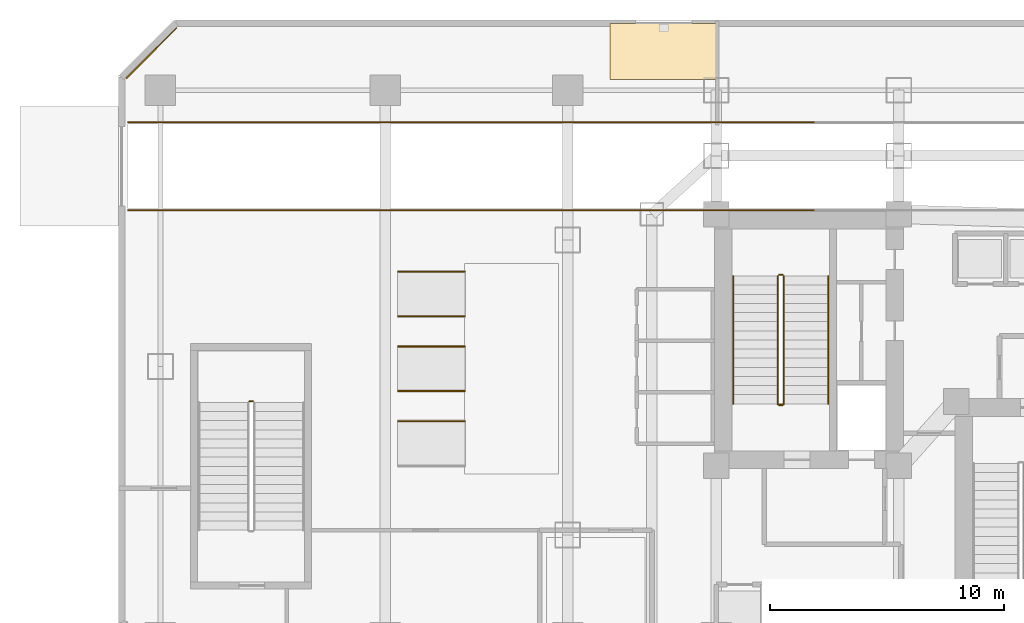
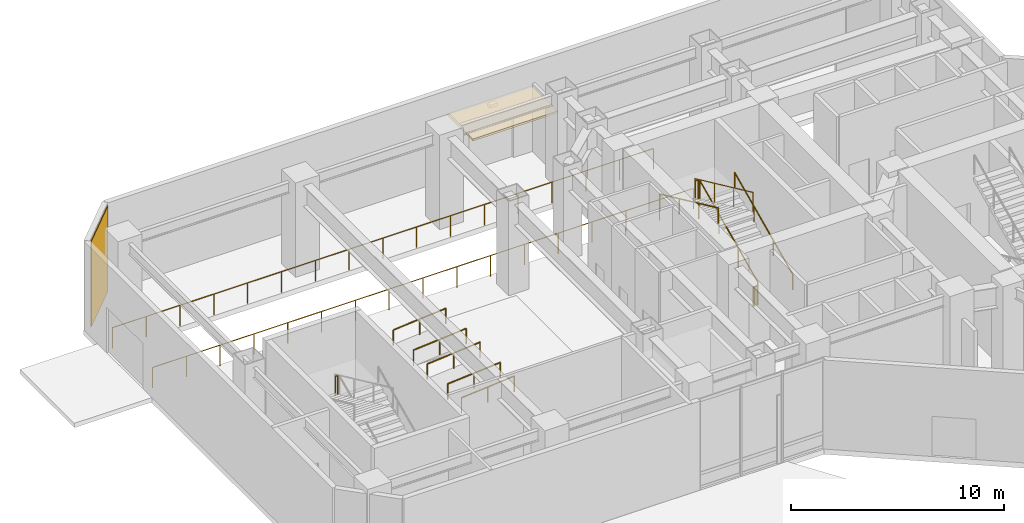
# One storey, part 11 of 13: 45 railings, 2 coverings.
"""IFC4 building model written with IfcOpenShell, lengths in metres."""

from ifc_helpers import new_model, si_unit, direction, frame, origin, origin_2d, place, context, subcontext, project, spatial, rectangle, circle, extrude, material, layer, layer_set, type_object, element, save


model = new_model("IFC4")

# Units and contexts
model_context = context("Model", 3, precision=1e-05, world=origin(), true_north=direction((0.0, 1.0)))
body_context = subcontext(model_context, "Body", "Model", "MODEL_VIEW")
ifc_project = project(units=[si_unit("LENGTHUNIT", "METRE"), si_unit("AREAUNIT", "SQUARE_METRE"), si_unit("VOLUMEUNIT", "CUBIC_METRE"), si_unit("PLANEANGLEUNIT", "RADIAN"), si_unit("MASSUNIT", "GRAM", prefix="KILO")], contexts=[model_context])

# Site, building, storey
site_placement = place(None, origin())
site = spatial("IfcSite", under=ifc_project, at=site_placement, CompositionType="ELEMENT")
building_placement = place(site_placement, origin())
building = spatial("IfcBuilding", under=site, at=building_placement, Name="Hatsunagi Terrace Concourse", CompositionType="ELEMENT")
storey_placement = place(building_placement, origin())
storey = spatial("IfcBuildingStorey", under=building, at=storey_placement, Name="L01", CompositionType="ELEMENT", Elevation=0.0)

# Covering
ifc_material_1 = material(Name="Warm Anodised Aluminium Soffit Cladding", Category="aluminium")
ifc_layer_1 = layer(ifc_material_1, 0.1201171875)
ifc_layer_set_1 = layer_set([ifc_layer_1], Name="EntranceCanopySoffit_120")
covering_type_1 = type_object("IfcCoveringType", Name="EntranceCanopySoffit_120", PredefinedType="CLADDING", material=ifc_layer_set_1)
covering_1_placement = place(storey_placement, frame((23.302001953125, 50.260009765625, 3.5400390625), z_axis=(0.0, 0.0, 1.0), x_axis=(1.0, 0.0, 0.0)))
element("IfcCovering", 1, at=covering_1_placement, inside=storey, type_object=covering_type_1, Name="Entrance Portal Canopy Soffit 11", PredefinedType="CLADDING", context=body_context, shape_type="SweptSolid", body=[
    extrude(rectangle(XDim=4.60009765625, YDim=2.39990234375, at=origin_2d()), origin(), (0.0, 0.0, 1.0), 0.1201171875),
])

# Railings
ifc_material_2 = material(Name="Brushed Stainless Steel Handrail", Category="steel")
ifc_layer_2 = layer(ifc_material_2, 0.050048828125)
ifc_layer_set_2 = layer_set([ifc_layer_2], Name="RampAccessibleHandrail_900")
railing_type_1 = type_object("IfcRailingType", Name="RampAccessibleHandrail_900", PredefinedType="HANDRAIL", material=ifc_layer_set_2)
for number, where, name in (
    (2, (11.949951171875, 34.449951171875, 0.0), "Concourse Accessible Ramp Handrail HR-02 #2"),
    (3, (11.949951171875, 35.75, 0.0), "Concourse Accessible Ramp Handrail HR-02 #3"),
    (4, (11.949951171875, 37.64990234375, 0.0), "Concourse Accessible Ramp Handrail HR-02 #4"),
    (5, (11.949951171875, 38.949951171875, 0.0), "Concourse Accessible Ramp Handrail HR-02 #5"),
    (6, (11.949951171875, 40.85009765625, 0.0), "Concourse Accessible Ramp Handrail HR-02 #6"),
):
    element("IfcRailing", number, at=place(storey_placement, frame(where)), inside=storey, type_object=railing_type_1, Name=name, PredefinedType="HANDRAIL", context=body_context, shape_type="SweptSolid", body=[
        extrude(circle(Radius=0.02392578125, at=origin_2d()), frame((0.0, 0.0, 0.8759765625), z_axis=(0.996473566823, 0.0, 0.083907273958), x_axis=(0.0, 1.0, 0.0)), (0.0, 0.0, 1.0), 2.860107421875),
        extrude(circle(Radius=0.02099609375, at=origin_2d()), origin(), (0.0, 0.0, 1.0), 0.851806640625),
        extrude(circle(Radius=0.02099609375, at=origin_2d()), frame((1.425048828125, 0.0, 0.1201171875)), (0.0, 0.0, 1.0), 0.851806640625),
        extrude(circle(Radius=0.02099609375, at=origin_2d()), frame((2.85009765625, 0.0, 0.239990234375)), (0.0, 0.0, 1.0), 0.851806640625),
    ])
ifc_material_3 = material(Name="Stainless steel", Category="steel")
ifc_layer_3 = layer(ifc_material_3, 0.044921875)
ifc_layer_set_3 = layer_set([ifc_layer_3], Name="StairPitchHandrail_Tower2000")
railing_type_2 = type_object("IfcRailingType", Name="StairPitchHandrail_Tower2000", PredefinedType="HANDRAIL", material=ifc_layer_set_3)
railing_1_placement = place(storey_placement, frame((30.330078125, 35.199951171875, 0.179931640625)))
element("IfcRailing", 7, at=railing_1_placement, inside=storey, type_object=railing_type_2, Name="L01 ST-A stair handrail 1", PredefinedType="HANDRAIL", context=body_context, shape_type="SweptSolid", body=[
    extrude(circle(Radius=0.02392578125, at=origin_2d()), frame((0.0, 0.0, 0.8759765625), z_axis=(0.0, 0.907957007956, 0.419063326602), x_axis=(-1.0, 0.0, 0.0)), (0.0, 0.0, 1.0), 6.013427734375),
    extrude(circle(Radius=0.02099609375, at=origin_2d()), origin(), (0.0, 0.0, 1.0), 0.851806640625),
    extrude(circle(Radius=0.02099609375, at=origin_2d()), frame((0.0, 1.820068359375, 0.840087890625)), (0.0, 0.0, 1.0), 0.851806640625),
    extrude(circle(Radius=0.02099609375, at=origin_2d()), frame((0.0, 3.639892578125, 1.679931640625)), (0.0, 0.0, 1.0), 0.851806640625),
    extrude(circle(Radius=0.02099609375, at=origin_2d()), frame((0.0, 5.4599609375, 2.52001953125)), (0.0, 0.0, 1.0), 0.851806640625),
])
railing_2_placement = place(storey_placement, frame((26.280029296875, 40.659912109375, 2.8798828125)))
element("IfcRailing", 8, at=railing_2_placement, inside=storey, type_object=railing_type_2, Name="L01 ST-A stair handrail 2", PredefinedType="HANDRAIL", context=body_context, shape_type="SweptSolid", body=[
    extrude(circle(Radius=0.02392578125, at=origin_2d()), frame((0.0, 0.0, 0.8759765625), z_axis=(0.0, -0.907957007956, 0.419063326602), x_axis=(1.0, 0.0, 0.0)), (0.0, 0.0, 1.0), 6.013427734375),
    extrude(circle(Radius=0.02099609375, at=origin_2d()), origin(), (0.0, 0.0, 1.0), 0.851806640625),
    extrude(circle(Radius=0.02099609375, at=origin_2d()), frame((0.0, -1.820068359375, 0.840087890625)), (0.0, 0.0, 1.0), 0.851806640625),
    extrude(circle(Radius=0.02099609375, at=origin_2d()), frame((0.0, -3.639892578125, 1.679931640625)), (0.0, 0.0, 1.0), 0.851806640625),
    extrude(circle(Radius=0.02099609375, at=origin_2d()), frame((0.0, -5.4599609375, 2.52001953125)), (0.0, 0.0, 1.0), 0.851806640625),
])
ifc_material_4 = material(Name="Stainless steel", Category="steel")
ifc_layer_4 = layer(ifc_material_4, 0.06494140625)
ifc_layer_set_4 = layer_set([ifc_layer_4], Name="StairWellGuard_Podium2200")
railing_type_3 = type_object("IfcRailingType", Name="StairWellGuard_Podium2200", PredefinedType="BALUSTRADE", material=ifc_layer_set_4)
railing_3_placement = place(storey_placement, frame((5.75, 35.31005859375, 2.699951171875)))
element("IfcRailing", 9, at=railing_3_placement, inside=storey, type_object=railing_type_3, Name="L01 ST-P1 stair guard 2", PredefinedType="BALUSTRADE", context=body_context, shape_type="SweptSolid", body=[
    extrude(circle(Radius=0.02392578125, at=origin_2d()), frame((0.0, 0.0, 1.09619140625), z_axis=(-1.0, 0.0, 0.0), x_axis=(0.0, -1.0, 0.0)), (0.0, 0.0, 1.0), 0.14990234375),
    extrude(circle(Radius=0.02099609375, at=origin_2d()), origin(), (0.0, 0.0, 1.0), 1.072021484375),
    extrude(circle(Radius=0.02099609375, at=origin_2d()), frame((-0.14990234375, 0.0, 0.0)), (0.0, 0.0, 1.0), 1.072021484375),
])
ifc_material_5 = material(Name="Stainless steel", Category="steel")
ifc_layer_5 = layer(ifc_material_5, 0.06005859375)
ifc_layer_set_5 = layer_set([ifc_layer_5], Name="StairWellGuard_Tower2000")
railing_type_4 = type_object("IfcRailingType", Name="StairWellGuard_Tower2000", PredefinedType="BALUSTRADE", material=ifc_layer_set_5)
railing_4_placement = place(storey_placement, frame((28.429931640625, 35.199951171875, 0.179931640625)))
element("IfcRailing", 10, at=railing_4_placement, inside=storey, type_object=railing_type_4, Name="L01 ST-A stair guard 1", PredefinedType="BALUSTRADE", context=body_context, shape_type="SweptSolid", body=[
    extrude(circle(Radius=0.02392578125, at=origin_2d()), frame((0.0, 0.0, 1.09619140625), z_axis=(0.0, 0.907957007956, 0.419063326602), x_axis=(-1.0, 0.0, 0.0)), (0.0, 0.0, 1.0), 6.013427734375),
    extrude(circle(Radius=0.02099609375, at=origin_2d()), origin(), (0.0, 0.0, 1.0), 1.072021484375),
    extrude(circle(Radius=0.02099609375, at=origin_2d()), frame((0.0, 1.820068359375, 0.840087890625)), (0.0, 0.0, 1.0), 1.072021484375),
    extrude(circle(Radius=0.02099609375, at=origin_2d()), frame((0.0, 3.639892578125, 1.679931640625)), (0.0, 0.0, 1.0), 1.072021484375),
    extrude(circle(Radius=0.02099609375, at=origin_2d()), frame((0.0, 5.4599609375, 2.52001953125)), (0.0, 0.0, 1.0), 1.072021484375),
])
railing_5_placement = place(storey_placement, frame((28.3798828125, 40.7099609375, 2.699951171875)))
element("IfcRailing", 11, at=railing_5_placement, inside=storey, type_object=railing_type_4, Name="L01 ST-A stair guard 2", PredefinedType="BALUSTRADE", context=body_context, shape_type="SweptSolid", body=[
    extrude(circle(Radius=0.02392578125, at=origin_2d()), frame((0.0, 0.0, 1.09619140625), z_axis=(-1.0, 0.0, 0.0), x_axis=(0.0, -1.0, 0.0)), (0.0, 0.0, 1.0), 0.14990234375),
    extrude(circle(Radius=0.02099609375, at=origin_2d()), origin(), (0.0, 0.0, 1.0), 1.072021484375),
    extrude(circle(Radius=0.02099609375, at=origin_2d()), frame((-0.14990234375, 0.0, 0.0)), (0.0, 0.0, 1.0), 1.072021484375),
])
railing_6_placement = place(storey_placement, frame((28.179931640625, 40.659912109375, 2.8798828125)))
element("IfcRailing", 12, at=railing_6_placement, inside=storey, type_object=railing_type_4, Name="L01 ST-A stair guard 3", PredefinedType="BALUSTRADE", context=body_context, shape_type="SweptSolid", body=[
    extrude(circle(Radius=0.02392578125, at=origin_2d()), frame((0.0, 0.0, 1.09619140625), z_axis=(0.0, -0.907957007956, 0.419063326602), x_axis=(1.0, 0.0, 0.0)), (0.0, 0.0, 1.0), 6.013427734375),
    extrude(circle(Radius=0.02099609375, at=origin_2d()), origin(), (0.0, 0.0, 1.0), 1.072021484375),
    extrude(circle(Radius=0.02099609375, at=origin_2d()), frame((0.0, -1.820068359375, 0.840087890625)), (0.0, 0.0, 1.0), 1.072021484375),
    extrude(circle(Radius=0.02099609375, at=origin_2d()), frame((0.0, -3.639892578125, 1.679931640625)), (0.0, 0.0, 1.0), 1.072021484375),
    extrude(circle(Radius=0.02099609375, at=origin_2d()), frame((0.0, -5.4599609375, 2.52001953125)), (0.0, 0.0, 1.0), 1.072021484375),
])
railing_7_placement = place(storey_placement, frame((28.3798828125, 35.14990234375, 0.0)))
element("IfcRailing", 13, at=railing_7_placement, inside=storey, type_object=railing_type_4, Name="L01 ST-A stair guard 4", PredefinedType="BALUSTRADE", context=body_context, shape_type="SweptSolid", body=[
    extrude(circle(Radius=0.02392578125, at=origin_2d()), frame((0.0, 0.0, 1.09619140625), z_axis=(-1.0, 0.0, 0.0), x_axis=(0.0, -1.0, 0.0)), (0.0, 0.0, 1.0), 0.14990234375),
    extrude(circle(Radius=0.02099609375, at=origin_2d()), origin(), (0.0, 0.0, 1.0), 1.072021484375),
    extrude(circle(Radius=0.02099609375, at=origin_2d()), frame((-0.14990234375, 0.0, 0.0)), (0.0, 0.0, 1.0), 1.072021484375),
])
ifc_material_6 = material(Name="Stainless Steel SUS316 Post-and-Rail Guard", Category="steel")
ifc_layer_6 = layer(ifc_material_6, 0.080078125)
ifc_layer_set_6 = layer_set([ifc_layer_6], Name="TerracePlantedGuardRail_1200")
railing_type_5 = type_object("IfcRailingType", Name="TerracePlantedGuardRail_1200", PredefinedType="GUARDRAIL", material=ifc_layer_set_6)
railing_8_placement = place(storey_placement, frame((28.179931640625, 35.179931640625, 0.0)))
element("IfcRailing", 14, at=railing_8_placement, inside=storey, type_object=railing_type_5, Name="Stair ST-A Well Closure Guard L01", PredefinedType="GUARDRAIL", context=body_context, shape_type="SweptSolid", body=[
    extrude(circle(Radius=0.02392578125, at=origin_2d()), frame((0.0, 0.0, 1.09619140625), z_axis=(1.0, 0.0, 0.0), x_axis=(0.0, 1.0, 0.0)), (0.0, 0.0, 1.0), 0.25),
    extrude(circle(Radius=0.02099609375, at=origin_2d()), origin(), (0.0, 0.0, 1.0), 1.072021484375),
    extrude(circle(Radius=0.02099609375, at=origin_2d()), frame((0.25, 0.0, 0.0)), (0.0, 0.0, 1.0), 1.072021484375),
])
railing_9_placement = place(storey_placement, frame((0.419921875, 43.469970703125, 0.0)))
element("IfcRailing", 15, at=railing_9_placement, inside=storey, type_object=railing_type_5, Name="L01 Car Park Ramp Well Guardrail GRD-02 #1", PredefinedType="GUARDRAIL", context=body_context, shape_type="SweptSolid", body=[
    extrude(circle(Radius=0.02392578125, at=origin_2d()), frame((0.0, 0.0, 1.17578125), z_axis=(1.0, 0.0, 0.0), x_axis=(0.0, 1.0, 0.0)), (0.0, 0.0, 1.0), 1.8271484375),
    extrude(circle(Radius=0.02099609375, at=origin_2d()), origin(), (0.0, 0.0, 1.0), 1.15185546875),
    extrude(circle(Radius=0.02099609375, at=origin_2d()), frame((1.8271484375, 0.0, 0.0)), (0.0, 0.0, 1.0), 1.15185546875),
])
railing_10_placement = place(storey_placement, frame((2.2548828125, 43.469970703125, 0.0)))
element("IfcRailing", 16, at=railing_10_placement, inside=storey, type_object=railing_type_5, Name="L01 Car Park Ramp Well Guardrail GRD-02 #2", PredefinedType="GUARDRAIL", context=body_context, shape_type="SweptSolid", body=[
    extrude(circle(Radius=0.02392578125, at=origin_2d()), frame((0.0, 0.0, 1.17578125), z_axis=(1.0, 0.0, 0.0), x_axis=(0.0, 1.0, 0.0)), (0.0, 0.0, 1.0), 1.82421875),
    extrude(circle(Radius=0.02099609375, at=origin_2d()), origin(), (0.0, 0.0, 1.0), 1.15185546875),
    extrude(circle(Radius=0.02099609375, at=origin_2d()), frame((1.82421875, 0.0, 0.0)), (0.0, 0.0, 1.0), 1.15185546875),
])
railing_11_placement = place(storey_placement, frame((4.0869140625, 43.469970703125, 0.0)))
element("IfcRailing", 17, at=railing_11_placement, inside=storey, type_object=railing_type_5, Name="L01 Car Park Ramp Well Guardrail GRD-02 #3", PredefinedType="GUARDRAIL", context=body_context, shape_type="SweptSolid", body=[
    extrude(circle(Radius=0.02392578125, at=origin_2d()), frame((0.0, 0.0, 1.17578125), z_axis=(1.0, 0.0, 0.0), x_axis=(0.0, 1.0, 0.0)), (0.0, 0.0, 1.0), 1.822998046875),
    extrude(circle(Radius=0.02099609375, at=origin_2d()), origin(), (0.0, 0.0, 1.0), 1.15185546875),
    extrude(circle(Radius=0.02099609375, at=origin_2d()), frame((1.822998046875, 0.0, 0.0)), (0.0, 0.0, 1.0), 1.15185546875),
])
railing_12_placement = place(storey_placement, frame((5.91796875, 43.469970703125, 0.0)))
element("IfcRailing", 18, at=railing_12_placement, inside=storey, type_object=railing_type_5, Name="L01 Car Park Ramp Well Guardrail GRD-02 #4", PredefinedType="GUARDRAIL", context=body_context, shape_type="SweptSolid", body=[
    extrude(circle(Radius=0.02392578125, at=origin_2d()), frame((0.0, 0.0, 1.17578125), z_axis=(1.0, 0.0, 0.0), x_axis=(0.0, 1.0, 0.0)), (0.0, 0.0, 1.0), 1.823974609375),
    extrude(circle(Radius=0.02099609375, at=origin_2d()), origin(), (0.0, 0.0, 1.0), 1.15185546875),
    extrude(circle(Radius=0.02099609375, at=origin_2d()), frame((1.823974609375, 0.0, 0.0)), (0.0, 0.0, 1.0), 1.15185546875),
])
railing_13_placement = place(storey_placement, frame((7.75, 43.469970703125, 0.0)))
element("IfcRailing", 19, at=railing_13_placement, inside=storey, type_object=railing_type_5, Name="L01 Car Park Ramp Well Guardrail GRD-02 #5", PredefinedType="GUARDRAIL", context=body_context, shape_type="SweptSolid", body=[
    extrude(circle(Radius=0.02392578125, at=origin_2d()), frame((0.0, 0.0, 1.17578125), z_axis=(1.0, 0.0, 0.0), x_axis=(0.0, 1.0, 0.0)), (0.0, 0.0, 1.0), 1.822998046875),
    extrude(circle(Radius=0.02099609375, at=origin_2d()), origin(), (0.0, 0.0, 1.0), 1.15185546875),
    extrude(circle(Radius=0.02099609375, at=origin_2d()), frame((1.822998046875, 0.0, 0.0)), (0.0, 0.0, 1.0), 1.15185546875),
])
railing_14_placement = place(storey_placement, frame((9.5810546875, 43.469970703125, 0.0)))
element("IfcRailing", 20, at=railing_14_placement, inside=storey, type_object=railing_type_5, Name="L01 Car Park Ramp Well Guardrail GRD-02 #6", PredefinedType="GUARDRAIL", context=body_context, shape_type="SweptSolid", body=[
    extrude(circle(Radius=0.02392578125, at=origin_2d()), frame((0.0, 0.0, 1.17578125), z_axis=(1.0, 0.0, 0.0), x_axis=(0.0, 1.0, 0.0)), (0.0, 0.0, 1.0), 1.823974609375),
    extrude(circle(Radius=0.02099609375, at=origin_2d()), origin(), (0.0, 0.0, 1.0), 1.15185546875),
    extrude(circle(Radius=0.02099609375, at=origin_2d()), frame((1.823974609375, 0.0, 0.0)), (0.0, 0.0, 1.0), 1.15185546875),
])
for number, where, name in (
    (21, (11.4130859375, 43.469970703125, 0.0), "L01 Car Park Ramp Well Guardrail GRD-02 #7"),
    (22, (13.243896484375, 43.469970703125, 0.0), "L01 Car Park Ramp Well Guardrail GRD-02 #8"),
):
    element("IfcRailing", number, at=place(storey_placement, frame(where)), inside=storey, type_object=railing_type_5, Name=name, PredefinedType="GUARDRAIL", context=body_context, shape_type="SweptSolid", body=[
        extrude(circle(Radius=0.02392578125, at=origin_2d()), frame((0.0, 0.0, 1.17578125), z_axis=(1.0, 0.0, 0.0), x_axis=(0.0, 1.0, 0.0)), (0.0, 0.0, 1.0), 1.822998046875),
        extrude(circle(Radius=0.02099609375, at=origin_2d()), origin(), (0.0, 0.0, 1.0), 1.15185546875),
        extrude(circle(Radius=0.02099609375, at=origin_2d()), frame((1.822998046875, 0.0, 0.0)), (0.0, 0.0, 1.0), 1.15185546875),
    ])
railing_15_placement = place(storey_placement, frame((15.074951171875, 43.469970703125, 0.0)))
element("IfcRailing", 23, at=railing_15_placement, inside=storey, type_object=railing_type_5, Name="L01 Car Park Ramp Well Guardrail GRD-02 #9", PredefinedType="GUARDRAIL", context=body_context, shape_type="SweptSolid", body=[
    extrude(circle(Radius=0.02392578125, at=origin_2d()), frame((0.0, 0.0, 1.17578125), z_axis=(1.0, 0.0, 0.0), x_axis=(0.0, 1.0, 0.0)), (0.0, 0.0, 1.0), 1.823974609375),
    extrude(circle(Radius=0.02099609375, at=origin_2d()), origin(), (0.0, 0.0, 1.0), 1.15185546875),
    extrude(circle(Radius=0.02099609375, at=origin_2d()), frame((1.823974609375, 0.0, 0.0)), (0.0, 0.0, 1.0), 1.15185546875),
])
railing_16_placement = place(storey_placement, frame((16.906982421875, 43.469970703125, 0.0)))
element("IfcRailing", 24, at=railing_16_placement, inside=storey, type_object=railing_type_5, Name="L01 Car Park Ramp Well Guardrail GRD-02 #10", PredefinedType="GUARDRAIL", context=body_context, shape_type="SweptSolid", body=[
    extrude(circle(Radius=0.02392578125, at=origin_2d()), frame((0.0, 0.0, 1.17578125), z_axis=(1.0, 0.0, 0.0), x_axis=(0.0, 1.0, 0.0)), (0.0, 0.0, 1.0), 1.822998046875),
    extrude(circle(Radius=0.02099609375, at=origin_2d()), origin(), (0.0, 0.0, 1.0), 1.15185546875),
    extrude(circle(Radius=0.02099609375, at=origin_2d()), frame((1.822998046875, 0.0, 0.0)), (0.0, 0.0, 1.0), 1.15185546875),
])
railing_17_placement = place(storey_placement, frame((18.738037109375, 43.469970703125, 0.0)))
element("IfcRailing", 25, at=railing_17_placement, inside=storey, type_object=railing_type_5, Name="L01 Car Park Ramp Well Guardrail GRD-02 #11", PredefinedType="GUARDRAIL", context=body_context, shape_type="SweptSolid", body=[
    extrude(circle(Radius=0.02392578125, at=origin_2d()), frame((0.0, 0.0, 1.17578125), z_axis=(1.0, 0.0, 0.0), x_axis=(0.0, 1.0, 0.0)), (0.0, 0.0, 1.0), 1.823974609375),
    extrude(circle(Radius=0.02099609375, at=origin_2d()), origin(), (0.0, 0.0, 1.0), 1.15185546875),
    extrude(circle(Radius=0.02099609375, at=origin_2d()), frame((1.823974609375, 0.0, 0.0)), (0.0, 0.0, 1.0), 1.15185546875),
])
railing_18_placement = place(storey_placement, frame((20.570068359375, 43.469970703125, 0.0)))
element("IfcRailing", 26, at=railing_18_placement, inside=storey, type_object=railing_type_5, Name="L01 Car Park Ramp Well Guardrail GRD-02 #12", PredefinedType="GUARDRAIL", context=body_context, shape_type="SweptSolid", body=[
    extrude(circle(Radius=0.02392578125, at=origin_2d()), frame((0.0, 0.0, 1.17578125), z_axis=(1.0, 0.0, 0.0), x_axis=(0.0, 1.0, 0.0)), (0.0, 0.0, 1.0), 1.822998046875),
    extrude(circle(Radius=0.02099609375, at=origin_2d()), origin(), (0.0, 0.0, 1.0), 1.15185546875),
    extrude(circle(Radius=0.02099609375, at=origin_2d()), frame((1.822998046875, 0.0, 0.0)), (0.0, 0.0, 1.0), 1.15185546875),
])
railing_19_placement = place(storey_placement, frame((22.40087890625, 43.469970703125, 0.0)))
element("IfcRailing", 27, at=railing_19_placement, inside=storey, type_object=railing_type_5, Name="L01 Car Park Ramp Well Guardrail GRD-02 #13", PredefinedType="GUARDRAIL", context=body_context, shape_type="SweptSolid", body=[
    extrude(circle(Radius=0.02392578125, at=origin_2d()), frame((0.0, 0.0, 1.17578125), z_axis=(1.0, 0.0, 0.0), x_axis=(0.0, 1.0, 0.0)), (0.0, 0.0, 1.0), 1.82421875),
    extrude(circle(Radius=0.02099609375, at=origin_2d()), origin(), (0.0, 0.0, 1.0), 1.15185546875),
    extrude(circle(Radius=0.02099609375, at=origin_2d()), frame((1.82421875, 0.0, 0.0)), (0.0, 0.0, 1.0), 1.15185546875),
])
for number, where, name in (
    (28, (24.23291015625, 43.469970703125, 0.0), "L01 Car Park Ramp Well Guardrail GRD-02 #14"),
    (29, (26.06396484375, 43.469970703125, 0.0), "L01 Car Park Ramp Well Guardrail GRD-02 #15"),
):
    element("IfcRailing", number, at=place(storey_placement, frame(where)), inside=storey, type_object=railing_type_5, Name=name, PredefinedType="GUARDRAIL", context=body_context, shape_type="SweptSolid", body=[
        extrude(circle(Radius=0.02392578125, at=origin_2d()), frame((0.0, 0.0, 1.17578125), z_axis=(1.0, 0.0, 0.0), x_axis=(0.0, 1.0, 0.0)), (0.0, 0.0, 1.0), 1.822998046875),
        extrude(circle(Radius=0.02099609375, at=origin_2d()), origin(), (0.0, 0.0, 1.0), 1.15185546875),
        extrude(circle(Radius=0.02099609375, at=origin_2d()), frame((1.822998046875, 0.0, 0.0)), (0.0, 0.0, 1.0), 1.15185546875),
    ])
railing_20_placement = place(storey_placement, frame((27.89501953125, 43.469970703125, 0.0)))
element("IfcRailing", 30, at=railing_20_placement, inside=storey, type_object=railing_type_5, Name="L01 Car Park Ramp Well Guardrail GRD-02 #16", PredefinedType="GUARDRAIL", context=body_context, shape_type="SweptSolid", body=[
    extrude(circle(Radius=0.02392578125, at=origin_2d()), frame((0.0, 0.0, 1.17578125), z_axis=(1.0, 0.0, 0.0), x_axis=(0.0, 1.0, 0.0)), (0.0, 0.0, 1.0), 1.823974609375),
    extrude(circle(Radius=0.02099609375, at=origin_2d()), origin(), (0.0, 0.0, 1.0), 1.15185546875),
    extrude(circle(Radius=0.02099609375, at=origin_2d()), frame((1.823974609375, 0.0, 0.0)), (0.0, 0.0, 1.0), 1.15185546875),
])
railing_21_placement = place(storey_placement, frame((29.718994140625, 47.22998046875, 0.0)))
element("IfcRailing", 31, at=railing_21_placement, inside=storey, type_object=railing_type_5, Name="L01 Car Park Ramp Well Guardrail GRD-02 #30", PredefinedType="GUARDRAIL", context=body_context, shape_type="SweptSolid", body=[
    extrude(circle(Radius=0.02392578125, at=origin_2d()), frame((0.0, 0.0, 1.17578125), z_axis=(-1.0, 0.0, 0.0), x_axis=(0.0, -1.0, 0.0)), (0.0, 0.0, 1.0), 1.823974609375),
    extrude(circle(Radius=0.02099609375, at=origin_2d()), origin(), (0.0, 0.0, 1.0), 1.15185546875),
    extrude(circle(Radius=0.02099609375, at=origin_2d()), frame((-1.823974609375, 0.0, 0.0)), (0.0, 0.0, 1.0), 1.15185546875),
])
for number, where, name in (
    (32, (27.886962890625, 47.22998046875, 0.0), "L01 Car Park Ramp Well Guardrail GRD-02 #31"),
    (33, (26.055908203125, 47.22998046875, 0.0), "L01 Car Park Ramp Well Guardrail GRD-02 #32"),
):
    element("IfcRailing", number, at=place(storey_placement, frame(where)), inside=storey, type_object=railing_type_5, Name=name, PredefinedType="GUARDRAIL", context=body_context, shape_type="SweptSolid", body=[
        extrude(circle(Radius=0.02392578125, at=origin_2d()), frame((0.0, 0.0, 1.17578125), z_axis=(-1.0, 0.0, 0.0), x_axis=(0.0, -1.0, 0.0)), (0.0, 0.0, 1.0), 1.822998046875),
        extrude(circle(Radius=0.02099609375, at=origin_2d()), origin(), (0.0, 0.0, 1.0), 1.15185546875),
        extrude(circle(Radius=0.02099609375, at=origin_2d()), frame((-1.822998046875, 0.0, 0.0)), (0.0, 0.0, 1.0), 1.15185546875),
    ])
railing_22_placement = place(storey_placement, frame((24.22509765625, 47.22998046875, 0.0)))
element("IfcRailing", 34, at=railing_22_placement, inside=storey, type_object=railing_type_5, Name="L01 Car Park Ramp Well Guardrail GRD-02 #33", PredefinedType="GUARDRAIL", context=body_context, shape_type="SweptSolid", body=[
    extrude(circle(Radius=0.02392578125, at=origin_2d()), frame((0.0, 0.0, 1.17578125), z_axis=(-1.0, 0.0, 0.0), x_axis=(0.0, -1.0, 0.0)), (0.0, 0.0, 1.0), 1.82421875),
    extrude(circle(Radius=0.02099609375, at=origin_2d()), origin(), (0.0, 0.0, 1.0), 1.15185546875),
    extrude(circle(Radius=0.02099609375, at=origin_2d()), frame((-1.82421875, 0.0, 0.0)), (0.0, 0.0, 1.0), 1.15185546875),
])
railing_23_placement = place(storey_placement, frame((22.39306640625, 47.22998046875, 0.0)))
element("IfcRailing", 35, at=railing_23_placement, inside=storey, type_object=railing_type_5, Name="L01 Car Park Ramp Well Guardrail GRD-02 #34", PredefinedType="GUARDRAIL", context=body_context, shape_type="SweptSolid", body=[
    extrude(circle(Radius=0.02392578125, at=origin_2d()), frame((0.0, 0.0, 1.17578125), z_axis=(-1.0, 0.0, 0.0), x_axis=(0.0, -1.0, 0.0)), (0.0, 0.0, 1.0), 1.822998046875),
    extrude(circle(Radius=0.02099609375, at=origin_2d()), origin(), (0.0, 0.0, 1.0), 1.15185546875),
    extrude(circle(Radius=0.02099609375, at=origin_2d()), frame((-1.822998046875, 0.0, 0.0)), (0.0, 0.0, 1.0), 1.15185546875),
])
railing_24_placement = place(storey_placement, frame((20.56201171875, 47.22998046875, 0.0)))
element("IfcRailing", 36, at=railing_24_placement, inside=storey, type_object=railing_type_5, Name="L01 Car Park Ramp Well Guardrail GRD-02 #35", PredefinedType="GUARDRAIL", context=body_context, shape_type="SweptSolid", body=[
    extrude(circle(Radius=0.02392578125, at=origin_2d()), frame((0.0, 0.0, 1.17578125), z_axis=(-1.0, 0.0, 0.0), x_axis=(0.0, -1.0, 0.0)), (0.0, 0.0, 1.0), 1.823974609375),
    extrude(circle(Radius=0.02099609375, at=origin_2d()), origin(), (0.0, 0.0, 1.0), 1.15185546875),
    extrude(circle(Radius=0.02099609375, at=origin_2d()), frame((-1.823974609375, 0.0, 0.0)), (0.0, 0.0, 1.0), 1.15185546875),
])
railing_25_placement = place(storey_placement, frame((18.72998046875, 47.22998046875, 0.0)))
element("IfcRailing", 37, at=railing_25_placement, inside=storey, type_object=railing_type_5, Name="L01 Car Park Ramp Well Guardrail GRD-02 #36", PredefinedType="GUARDRAIL", context=body_context, shape_type="SweptSolid", body=[
    extrude(circle(Radius=0.02392578125, at=origin_2d()), frame((0.0, 0.0, 1.17578125), z_axis=(-1.0, 0.0, 0.0), x_axis=(0.0, -1.0, 0.0)), (0.0, 0.0, 1.0), 1.822998046875),
    extrude(circle(Radius=0.02099609375, at=origin_2d()), origin(), (0.0, 0.0, 1.0), 1.15185546875),
    extrude(circle(Radius=0.02099609375, at=origin_2d()), frame((-1.822998046875, 0.0, 0.0)), (0.0, 0.0, 1.0), 1.15185546875),
])
railing_26_placement = place(storey_placement, frame((16.89892578125, 47.22998046875, 0.0)))
element("IfcRailing", 38, at=railing_26_placement, inside=storey, type_object=railing_type_5, Name="L01 Car Park Ramp Well Guardrail GRD-02 #37", PredefinedType="GUARDRAIL", context=body_context, shape_type="SweptSolid", body=[
    extrude(circle(Radius=0.02392578125, at=origin_2d()), frame((0.0, 0.0, 1.17578125), z_axis=(-1.0, 0.0, 0.0), x_axis=(0.0, -1.0, 0.0)), (0.0, 0.0, 1.0), 1.823974609375),
    extrude(circle(Radius=0.02099609375, at=origin_2d()), origin(), (0.0, 0.0, 1.0), 1.15185546875),
    extrude(circle(Radius=0.02099609375, at=origin_2d()), frame((-1.823974609375, 0.0, 0.0)), (0.0, 0.0, 1.0), 1.15185546875),
])
for number, where, name in (
    (39, (15.06689453125, 47.22998046875, 0.0), "L01 Car Park Ramp Well Guardrail GRD-02 #38"),
    (40, (13.236083984375, 47.22998046875, 0.0), "L01 Car Park Ramp Well Guardrail GRD-02 #39"),
):
    element("IfcRailing", number, at=place(storey_placement, frame(where)), inside=storey, type_object=railing_type_5, Name=name, PredefinedType="GUARDRAIL", context=body_context, shape_type="SweptSolid", body=[
        extrude(circle(Radius=0.02392578125, at=origin_2d()), frame((0.0, 0.0, 1.17578125), z_axis=(-1.0, 0.0, 0.0), x_axis=(0.0, -1.0, 0.0)), (0.0, 0.0, 1.0), 1.822998046875),
        extrude(circle(Radius=0.02099609375, at=origin_2d()), origin(), (0.0, 0.0, 1.0), 1.15185546875),
        extrude(circle(Radius=0.02099609375, at=origin_2d()), frame((-1.822998046875, 0.0, 0.0)), (0.0, 0.0, 1.0), 1.15185546875),
    ])
railing_27_placement = place(storey_placement, frame((11.405029296875, 47.22998046875, 0.0)))
element("IfcRailing", 41, at=railing_27_placement, inside=storey, type_object=railing_type_5, Name="L01 Car Park Ramp Well Guardrail GRD-02 #40", PredefinedType="GUARDRAIL", context=body_context, shape_type="SweptSolid", body=[
    extrude(circle(Radius=0.02392578125, at=origin_2d()), frame((0.0, 0.0, 1.17578125), z_axis=(-1.0, 0.0, 0.0), x_axis=(0.0, -1.0, 0.0)), (0.0, 0.0, 1.0), 1.823974609375),
    extrude(circle(Radius=0.02099609375, at=origin_2d()), origin(), (0.0, 0.0, 1.0), 1.15185546875),
    extrude(circle(Radius=0.02099609375, at=origin_2d()), frame((-1.823974609375, 0.0, 0.0)), (0.0, 0.0, 1.0), 1.15185546875),
])
railing_28_placement = place(storey_placement, frame((9.572998046875, 47.22998046875, 0.0)))
element("IfcRailing", 42, at=railing_28_placement, inside=storey, type_object=railing_type_5, Name="L01 Car Park Ramp Well Guardrail GRD-02 #41", PredefinedType="GUARDRAIL", context=body_context, shape_type="SweptSolid", body=[
    extrude(circle(Radius=0.02392578125, at=origin_2d()), frame((0.0, 0.0, 1.17578125), z_axis=(-1.0, 0.0, 0.0), x_axis=(0.0, -1.0, 0.0)), (0.0, 0.0, 1.0), 1.822998046875),
    extrude(circle(Radius=0.02099609375, at=origin_2d()), origin(), (0.0, 0.0, 1.0), 1.15185546875),
    extrude(circle(Radius=0.02099609375, at=origin_2d()), frame((-1.822998046875, 0.0, 0.0)), (0.0, 0.0, 1.0), 1.15185546875),
])
railing_29_placement = place(storey_placement, frame((7.741943359375, 47.22998046875, 0.0)))
element("IfcRailing", 43, at=railing_29_placement, inside=storey, type_object=railing_type_5, Name="L01 Car Park Ramp Well Guardrail GRD-02 #42", PredefinedType="GUARDRAIL", context=body_context, shape_type="SweptSolid", body=[
    extrude(circle(Radius=0.02392578125, at=origin_2d()), frame((0.0, 0.0, 1.17578125), z_axis=(-1.0, 0.0, 0.0), x_axis=(0.0, -1.0, 0.0)), (0.0, 0.0, 1.0), 1.823974609375),
    extrude(circle(Radius=0.02099609375, at=origin_2d()), origin(), (0.0, 0.0, 1.0), 1.15185546875),
    extrude(circle(Radius=0.02099609375, at=origin_2d()), frame((-1.823974609375, 0.0, 0.0)), (0.0, 0.0, 1.0), 1.15185546875),
])
railing_30_placement = place(storey_placement, frame((5.909912109375, 47.22998046875, 0.0)))
element("IfcRailing", 44, at=railing_30_placement, inside=storey, type_object=railing_type_5, Name="L01 Car Park Ramp Well Guardrail GRD-02 #43", PredefinedType="GUARDRAIL", context=body_context, shape_type="SweptSolid", body=[
    extrude(circle(Radius=0.02392578125, at=origin_2d()), frame((0.0, 0.0, 1.17578125), z_axis=(-1.0, 0.0, 0.0), x_axis=(0.0, -1.0, 0.0)), (0.0, 0.0, 1.0), 1.822998046875),
    extrude(circle(Radius=0.02099609375, at=origin_2d()), origin(), (0.0, 0.0, 1.0), 1.15185546875),
    extrude(circle(Radius=0.02099609375, at=origin_2d()), frame((-1.822998046875, 0.0, 0.0)), (0.0, 0.0, 1.0), 1.15185546875),
])
railing_31_placement = place(storey_placement, frame((4.0791015625, 47.22998046875, 0.0)))
element("IfcRailing", 45, at=railing_31_placement, inside=storey, type_object=railing_type_5, Name="L01 Car Park Ramp Well Guardrail GRD-02 #44", PredefinedType="GUARDRAIL", context=body_context, shape_type="SweptSolid", body=[
    extrude(circle(Radius=0.02392578125, at=origin_2d()), frame((0.0, 0.0, 1.17578125), z_axis=(-1.0, 0.0, 0.0), x_axis=(0.0, -1.0, 0.0)), (0.0, 0.0, 1.0), 1.82421875),
    extrude(circle(Radius=0.02099609375, at=origin_2d()), origin(), (0.0, 0.0, 1.0), 1.15185546875),
    extrude(circle(Radius=0.02099609375, at=origin_2d()), frame((-1.82421875, 0.0, 0.0)), (0.0, 0.0, 1.0), 1.15185546875),
])
railing_32_placement = place(storey_placement, frame((2.2470703125, 47.22998046875, 0.0)))
element("IfcRailing", 46, at=railing_32_placement, inside=storey, type_object=railing_type_5, Name="L01 Car Park Ramp Well Guardrail GRD-02 #45", PredefinedType="GUARDRAIL", context=body_context, shape_type="SweptSolid", body=[
    extrude(circle(Radius=0.02392578125, at=origin_2d()), frame((0.0, 0.0, 1.17578125), z_axis=(-1.0, 0.0, 0.0), x_axis=(0.0, -1.0, 0.0)), (0.0, 0.0, 1.0), 1.8271484375),
    extrude(circle(Radius=0.02099609375, at=origin_2d()), origin(), (0.0, 0.0, 1.0), 1.15185546875),
    extrude(circle(Radius=0.02099609375, at=origin_2d()), frame((-1.8271484375, 0.0, 0.0)), (0.0, 0.0, 1.0), 1.15185546875),
])

# Covering
ifc_material_7 = material(Name="Unglazed Warm Terracotta Rainscreen Tile", Category="masonry")
ifc_layer_7 = layer(ifc_material_7, 0.044921875)
ifc_layer_set_7 = layer_set([ifc_layer_7], Name="TerracottaRainscreenCladding_45")
covering_type_2 = type_object("IfcCoveringType", Name="TerracottaRainscreenCladding_45", PredefinedType="CLADDING", material=ifc_layer_set_7)
covering_2_placement = place(storey_placement, frame((1.4140625, 50.18603515625, 0.10009765625), z_axis=(0.0, 0.0, 1.0), x_axis=(0.707106781187, 0.707106781187, 0.0)))
element("IfcCovering", 47, at=covering_2_placement, inside=storey, type_object=covering_type_2, Name="Terracotta Rainscreen Cladding L01-10", PredefinedType="CLADDING", context=body_context, shape_type="SweptSolid", body=[
    extrude(rectangle(XDim=3.0380859375, YDim=0.044921875, at=origin_2d()), origin(), (0.0, 0.0, 1.0), 4.89990234375),
])

save(model, "model.ifc")
